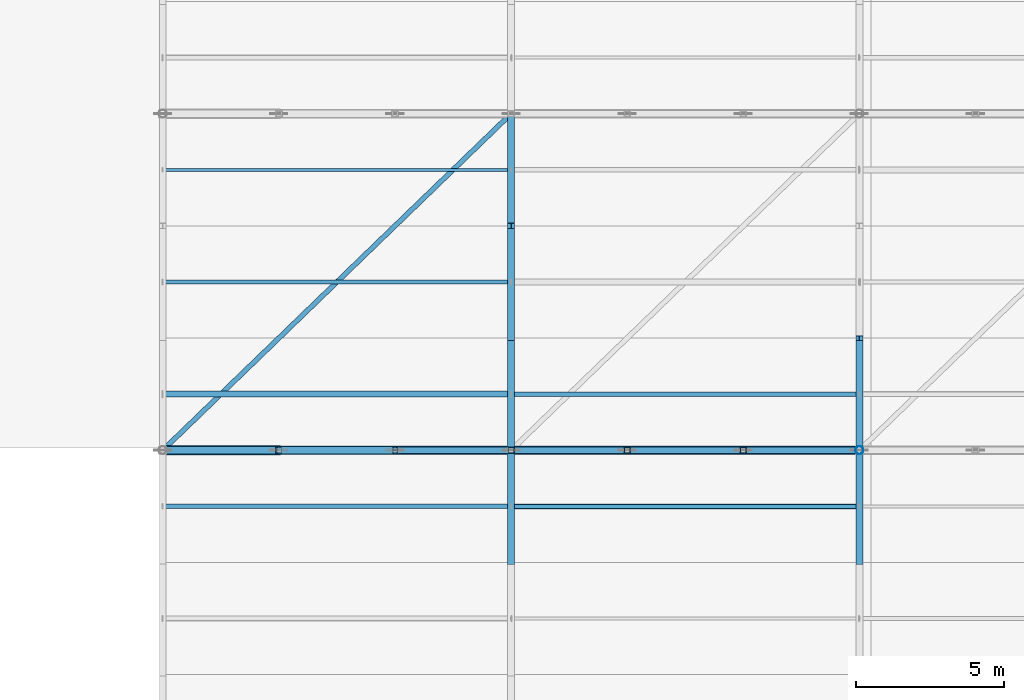
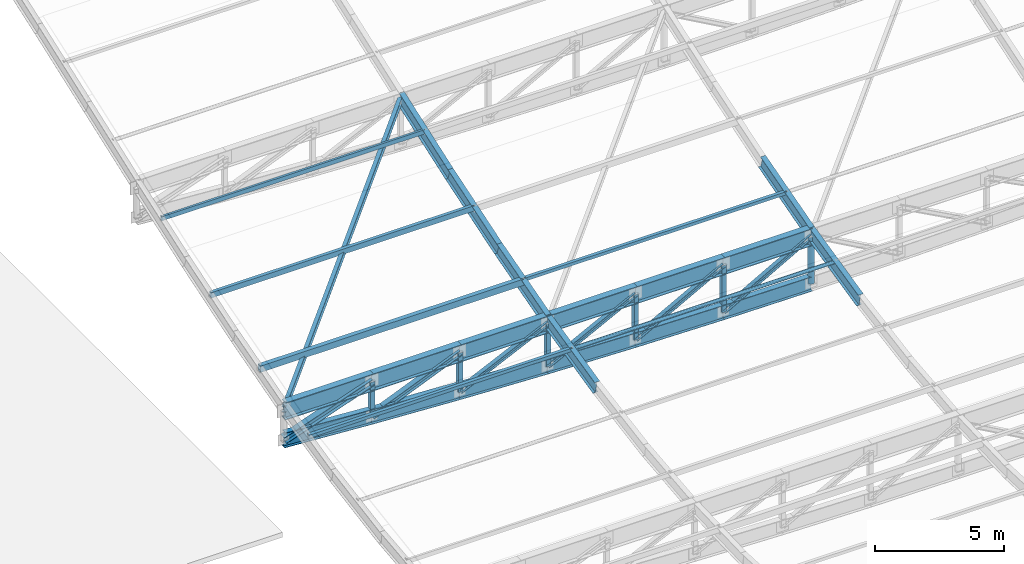
# One storey, part 19 of 65: 25 members, 12 beams.
"""IFC4 building model written with IfcOpenShell, lengths in metres."""

from ifc_helpers import new_model, si_unit, direction, frame, origin, origin_2d, place, context, subcontext, project, spatial, hollow_rectangle, hollow_circle, i_section, extrude, material, material_profile, profile_set, type_object, element, save


model = new_model("IFC4")

# Units and contexts
model_context = context("Model", 3, precision=1e-05, world=origin(), true_north=direction((0.0, 1.0)))
body_context = subcontext(model_context, "Body", "Model", "MODEL_VIEW")
ifc_project = project(units=[si_unit("LENGTHUNIT", "METRE"), si_unit("AREAUNIT", "SQUARE_METRE"), si_unit("VOLUMEUNIT", "CUBIC_METRE"), si_unit("PLANEANGLEUNIT", "RADIAN"), si_unit("MASSUNIT", "GRAM", prefix="KILO"), si_unit("POWERUNIT", "WATT"), si_unit("THERMODYNAMICTEMPERATUREUNIT", "KELVIN")], contexts=[model_context])

# Site, building, storey
site_placement = place(None, origin())
site = spatial("IfcSite", under=ifc_project, at=site_placement, CompositionType="ELEMENT")
building_placement = place(site_placement, origin())
building = spatial("IfcBuilding", under=site, at=building_placement, Name="Kelmbourne Parkland Aquatics Centre", CompositionType="ELEMENT")
storey_placement = place(building_placement, frame((0.0, 0.0, 27.0)))
storey = spatial("IfcBuildingStorey", under=building, at=storey_placement, Name="RF", CompositionType="ELEMENT", Elevation=27.0)

# Members
ifc_material_1 = material(Name="Structural steel AS/NZS 3679.1 Grade 300", Category="steel")
ifc_material_profile_1 = material_profile(ifc_material_1, i_section(OverallWidth=0.166015625, OverallDepth=0.306884765625, WebThickness=0.006591796875, FlangeThickness=0.01171875, at=origin_2d()), Name="310UB46.2")
ifc_profile_set_1 = profile_set([ifc_material_profile_1], Name="Structural steel AS/NZS 3679.1 Grade 300")
member_type_1 = type_object("IfcMemberType", Name="MB-BR-I", PredefinedType="BRACE", material=ifc_profile_set_1)
member_1_placement = place(storey_placement, frame((128.007080078125, 69.206787109375, -10.938232421875), z_axis=(0.702160587581, 0.678364943432, 0.216313459524), x_axis=(-0.694815416631, 0.719188109476, 0.0)))
element("IfcMember", 1, at=member_1_placement, inside=storey, type_object=member_type_1, Name="Roof wind diagonal brace B7-03", PredefinedType="BRACE", context=body_context, shape_type="SweptSolid", body=[
    extrude(i_section(OverallWidth=0.166015625, OverallDepth=0.306884765625, WebThickness=0.006591796875, FlangeThickness=0.01171875, at=origin_2d()), origin(), (0.0, 0.0, 1.0), 16.78515625),
])
ifc_material_profile_2 = material_profile(ifc_material_1, i_section(OverallWidth=0.306884765625, OverallDepth=0.31494140625, WebThickness=0.011962890625, FlangeThickness=0.018798828125, at=origin_2d()), Name="310UC118")
ifc_profile_set_2 = profile_set([ifc_material_profile_2], Name="Structural steel AS/NZS 3679.1 Grade 300")
member_type_2 = type_object("IfcMemberType", Name="MB-DIAG1", PredefinedType="STRUT", material=ifc_profile_set_2)
member_2_placement = place(storey_placement, frame((128.0, 69.199951171875, -12.320556640625), z_axis=(0.94359966112, 0.0, 0.331088627913), x_axis=(0.0, 1.0, 0.0)))
element("IfcMember", 2, at=member_2_placement, inside=storey, type_object=member_type_2, Name="Roof truss R06 web diagonal 1", PredefinedType="STRUT", context=body_context, shape_type="SweptSolid", body=[
    extrude(i_section(OverallWidth=0.306884765625, OverallDepth=0.31494140625, WebThickness=0.011962890625, FlangeThickness=0.018798828125, at=origin_2d()), origin(), (0.0, 0.0, 1.0), 4.16845703125),
])
ifc_material_profile_3 = material_profile(ifc_material_1, i_section(OverallWidth=0.256103515625, OverallDepth=0.260009765625, WebThickness=0.010498046875, FlangeThickness=0.017333984375, at=origin_2d()), Name="250UC89.5")
ifc_profile_set_3 = profile_set([ifc_material_profile_3], Name="Structural steel AS/NZS 3679.1 Grade 300")
member_type_3 = type_object("IfcMemberType", Name="MB-DIAG2", PredefinedType="STRUT", material=ifc_profile_set_3)
member_3_placement = place(storey_placement, frame((131.933349609375, 69.199951171875, -12.580078125), z_axis=(0.923014195881, 0.0, 0.384765895322), x_axis=(0.0, 1.0, 0.0)))
element("IfcMember", 3, at=member_3_placement, inside=storey, type_object=member_type_3, Name="Roof truss R06 web diagonal 2", PredefinedType="STRUT", context=body_context, shape_type="SweptSolid", body=[
    extrude(i_section(OverallWidth=0.256103515625, OverallDepth=0.260009765625, WebThickness=0.010498046875, FlangeThickness=0.017333984375, at=origin_2d()), origin(), (0.0, 0.0, 1.0), 4.261474609375),
])
ifc_material_profile_4 = material_profile(ifc_material_1, i_section(OverallWidth=0.205078125, OverallDepth=0.2099609375, WebThickness=0.00927734375, FlangeThickness=0.01416015625, at=origin_2d()), Name="200UC59.5")
ifc_profile_set_4 = profile_set([ifc_material_profile_4], Name="Structural steel AS/NZS 3679.1 Grade 300")
member_type_4 = type_object("IfcMemberType", Name="MB-DIAG3", PredefinedType="STRUT", material=ifc_profile_set_4)
member_4_placement = place(storey_placement, frame((135.86669921875, 69.199951171875, -12.792724609375), z_axis=(0.904702860314, 0.0, 0.426043113475), x_axis=(0.0, 1.0, 0.0)))
element("IfcMember", 4, at=member_4_placement, inside=storey, type_object=member_type_4, Name="Roof truss R06 web diagonal 3", PredefinedType="STRUT", context=body_context, shape_type="SweptSolid", body=[
    extrude(i_section(OverallWidth=0.205078125, OverallDepth=0.2099609375, WebThickness=0.00927734375, FlangeThickness=0.01416015625, at=origin_2d()), origin(), (0.0, 0.0, 1.0), 4.34765625),
])
member_5_placement = place(storey_placement, frame((139.800048828125, 69.199951171875, -12.9580078125), z_axis=(0.889773759549, 0.0, 0.456401858911), x_axis=(0.0, 1.0, 0.0)))
element("IfcMember", 5, at=member_5_placement, inside=storey, type_object=member_type_4, Name="Roof truss R06 web diagonal 4", PredefinedType="STRUT", context=body_context, shape_type="SweptSolid", body=[
    extrude(i_section(OverallWidth=0.205078125, OverallDepth=0.2099609375, WebThickness=0.00927734375, FlangeThickness=0.01416015625, at=origin_2d()), origin(), (0.0, 0.0, 1.0), 4.420654296875),
])
member_6_placement = place(storey_placement, frame((143.7333984375, 69.199951171875, -13.076171875), z_axis=(0.87880703159, 0.0, 0.477177326817), x_axis=(0.0, 1.0, 0.0)))
element("IfcMember", 6, at=member_6_placement, inside=storey, type_object=member_type_4, Name="Roof truss R06 web diagonal 5", PredefinedType="STRUT", context=body_context, shape_type="SweptSolid", body=[
    extrude(i_section(OverallWidth=0.205078125, OverallDepth=0.2099609375, WebThickness=0.00927734375, FlangeThickness=0.01416015625, at=origin_2d()), origin(), (0.0, 0.0, 1.0), 4.475830078125),
])
member_7_placement = place(storey_placement, frame((147.666748046875, 69.199951171875, -13.14697265625), z_axis=(0.872140224212, 0.0, 0.489255995682), x_axis=(0.0, 1.0, 0.0)))
element("IfcMember", 7, at=member_7_placement, inside=storey, type_object=member_type_4, Name="Roof truss R06 web diagonal 6", PredefinedType="STRUT", context=body_context, shape_type="SweptSolid", body=[
    extrude(i_section(OverallWidth=0.205078125, OverallDepth=0.2099609375, WebThickness=0.00927734375, FlangeThickness=0.01416015625, at=origin_2d()), origin(), (0.0, 0.0, 1.0), 4.510009765625),
])
ifc_material_profile_5 = material_profile(ifc_material_1, i_section(OverallWidth=0.22900390625, OverallDepth=0.612060546875, WebThickness=0.011962890625, FlangeThickness=0.01953125, at=origin_2d()), Name="610UB125")
ifc_profile_set_5 = profile_set([ifc_material_profile_5], Name="Structural steel AS/NZS 3679.1 Grade 300")
member_type_5 = type_object("IfcMemberType", Name="MB-LRIB", PredefinedType="STRUT", material=ifc_profile_set_5)
member_8_placement = place(storey_placement, frame((139.800048828125, 65.39990234375, -11.703369140625), z_axis=(0.0, 0.974060017695, 0.226289818438), x_axis=(-1.0, 0.0, 0.0)))
element("IfcMember", 8, at=member_8_placement, inside=storey, type_object=member_type_5, Name="Longitudinal wave rib K3 strip 18", PredefinedType="STRUT", context=body_context, shape_type="SweptSolid", body=[
    extrude(i_section(OverallWidth=0.22900390625, OverallDepth=0.612060546875, WebThickness=0.011962890625, FlangeThickness=0.01953125, at=origin_2d()), origin(), (0.0, 0.0, 1.0), 3.9013671875),
])
member_9_placement = place(storey_placement, frame((139.800048828125, 69.199951171875, -10.820556640625), z_axis=(0.0, 0.962160495799, 0.272483357885), x_axis=(-1.0, 0.0, 0.0)))
element("IfcMember", 9, at=member_9_placement, inside=storey, type_object=member_type_5, Name="Longitudinal wave rib K3 strip 19", PredefinedType="STRUT", context=body_context, shape_type="SweptSolid", body=[
    extrude(i_section(OverallWidth=0.22900390625, OverallDepth=0.612060546875, WebThickness=0.011962890625, FlangeThickness=0.01953125, at=origin_2d()), origin(), (0.0, 0.0, 1.0), 3.949462890625),
])
member_10_placement = place(storey_placement, frame((139.800048828125, 73.0, -9.744384765625), z_axis=(0.0, 0.951600805512, 0.307336797257), x_axis=(-1.0, 0.0, 0.0)))
element("IfcMember", 10, at=member_10_placement, inside=storey, type_object=member_type_5, Name="Longitudinal wave rib K3 strip 20", PredefinedType="STRUT", context=body_context, shape_type="SweptSolid", body=[
    extrude(i_section(OverallWidth=0.22900390625, OverallDepth=0.612060546875, WebThickness=0.011962890625, FlangeThickness=0.01953125, at=origin_2d()), origin(), (0.0, 0.0, 1.0), 3.993408203125),
])
member_11_placement = place(storey_placement, frame((139.800048828125, 76.800048828125, -8.51708984375), z_axis=(0.0, 0.943702288196, 0.330795996428), x_axis=(-1.0, 0.0, 0.0)))
element("IfcMember", 11, at=member_11_placement, inside=storey, type_object=member_type_5, Name="Longitudinal wave rib K3 strip 21", PredefinedType="STRUT", context=body_context, shape_type="SweptSolid", body=[
    extrude(i_section(OverallWidth=0.22900390625, OverallDepth=0.612060546875, WebThickness=0.011962890625, FlangeThickness=0.01953125, at=origin_2d()), origin(), (0.0, 0.0, 1.0), 4.02685546875),
])
member_12_placement = place(storey_placement, frame((151.60009765625, 65.39990234375, -11.703369140625), z_axis=(0.0, 0.974060017695, 0.226289818438), x_axis=(-1.0, 0.0, 0.0)))
element("IfcMember", 12, at=member_12_placement, inside=storey, type_object=member_type_5, Name="Longitudinal wave rib K6 strip 18", PredefinedType="STRUT", context=body_context, shape_type="SweptSolid", body=[
    extrude(i_section(OverallWidth=0.22900390625, OverallDepth=0.612060546875, WebThickness=0.011962890625, FlangeThickness=0.01953125, at=origin_2d()), origin(), (0.0, 0.0, 1.0), 3.9013671875),
])
member_13_placement = place(storey_placement, frame((151.60009765625, 69.199951171875, -10.820556640625), z_axis=(0.0, 0.962160495799, 0.272483357885), x_axis=(-1.0, 0.0, 0.0)))
element("IfcMember", 13, at=member_13_placement, inside=storey, type_object=member_type_5, Name="Longitudinal wave rib K6 strip 19", PredefinedType="STRUT", context=body_context, shape_type="SweptSolid", body=[
    extrude(i_section(OverallWidth=0.22900390625, OverallDepth=0.612060546875, WebThickness=0.011962890625, FlangeThickness=0.01953125, at=origin_2d()), origin(), (0.0, 0.0, 1.0), 3.949462890625),
])
ifc_material_2 = material(Name="Cold-formed hollow steel AS/NZS 1163 C350L0", Category="steel")
ifc_material_profile_6 = material_profile(ifc_material_2, hollow_rectangle(XDim=0.199951171875, YDim=0.199951171875, WallThickness=0.010009765625, at=origin_2d()), Name="SHS 200x200x10.0")
ifc_profile_set_6 = profile_set([ifc_material_profile_6], Name="Cold-formed hollow steel AS/NZS 1163 C350L0")
member_type_6 = type_object("IfcMemberType", Name="MB-POST1", PredefinedType="STRUT", material=ifc_profile_set_6)
member_14_placement = place(storey_placement, frame((131.933349609375, 69.199951171875, -12.580078125), z_axis=(0.0, 0.0, 1.0), x_axis=(1.0, 0.0, 0.0)))
element("IfcMember", 14, at=member_14_placement, inside=storey, type_object=member_type_6, Name="Roof truss R06 vertical post 1", PredefinedType="STRUT", context=body_context, shape_type="SweptSolid", body=[
    extrude(hollow_rectangle(XDim=0.199951171875, YDim=0.199951171875, WallThickness=0.010009765625, at=origin_2d()), origin(), (0.0, 0.0, 1.0), 1.6396484375),
])
member_15_placement = place(storey_placement, frame((135.86669921875, 69.199951171875, -12.792724609375), z_axis=(0.0, 0.0, 1.0), x_axis=(1.0, 0.0, 0.0)))
element("IfcMember", 15, at=member_15_placement, inside=storey, type_object=member_type_6, Name="Roof truss R06 vertical post 2", PredefinedType="STRUT", context=body_context, shape_type="SweptSolid", body=[
    extrude(hollow_rectangle(XDim=0.199951171875, YDim=0.199951171875, WallThickness=0.010009765625, at=origin_2d()), origin(), (0.0, 0.0, 1.0), 1.852294921875),
])
member_16_placement = place(storey_placement, frame((139.800048828125, 69.199951171875, -12.9580078125), z_axis=(0.0, 0.0, 1.0), x_axis=(1.0, 0.0, 0.0)))
element("IfcMember", 16, at=member_16_placement, inside=storey, type_object=member_type_6, Name="Roof truss R06 vertical post 3", PredefinedType="STRUT", context=body_context, shape_type="SweptSolid", body=[
    extrude(hollow_rectangle(XDim=0.199951171875, YDim=0.199951171875, WallThickness=0.010009765625, at=origin_2d()), origin(), (0.0, 0.0, 1.0), 2.017578125),
])
member_17_placement = place(storey_placement, frame((143.7333984375, 69.199951171875, -13.076171875), z_axis=(0.0, 0.0, 1.0), x_axis=(1.0, 0.0, 0.0)))
element("IfcMember", 17, at=member_17_placement, inside=storey, type_object=member_type_6, Name="Roof truss R06 vertical post 4", PredefinedType="STRUT", context=body_context, shape_type="SweptSolid", body=[
    extrude(hollow_rectangle(XDim=0.199951171875, YDim=0.199951171875, WallThickness=0.010009765625, at=origin_2d()), origin(), (0.0, 0.0, 1.0), 2.1357421875),
])
member_18_placement = place(storey_placement, frame((147.666748046875, 69.199951171875, -13.14697265625), z_axis=(0.0, 0.0, 1.0), x_axis=(1.0, 0.0, 0.0)))
element("IfcMember", 18, at=member_18_placement, inside=storey, type_object=member_type_6, Name="Roof truss R06 vertical post 5", PredefinedType="STRUT", context=body_context, shape_type="SweptSolid", body=[
    extrude(hollow_rectangle(XDim=0.199951171875, YDim=0.199951171875, WallThickness=0.010009765625, at=origin_2d()), origin(), (0.0, 0.0, 1.0), 2.20654296875),
])
ifc_material_profile_7 = material_profile(ifc_material_2, hollow_circle(Radius=0.136474609375, WallThickness=0.00927734375, at=origin_2d()), Name="CHS 273.1x9.3")
ifc_profile_set_7 = profile_set([ifc_material_profile_7], Name="Cold-formed hollow steel AS/NZS 1163 C350L0")
member_type_7 = type_object("IfcMemberType", Name="MB-POST2", PredefinedType="STRUT", material=ifc_profile_set_7)
member_19_placement = place(storey_placement, frame((151.60009765625, 69.199951171875, -13.17041015625), z_axis=(0.0, 0.0, 1.0), x_axis=(1.0, 0.0, 0.0)))
element("IfcMember", 19, at=member_19_placement, inside=storey, type_object=member_type_7, Name="Roof truss R06 vertical post 6", PredefinedType="STRUT", context=body_context, shape_type="SweptSolid", body=[
    extrude(hollow_circle(Radius=0.136474609375, WallThickness=0.00927734375, at=origin_2d()), origin(), (0.0, 0.0, 1.0), 2.22998046875),
])
ifc_material_profile_8 = material_profile(ifc_material_2, hollow_rectangle(XDim=0.10009765625, YDim=0.199951171875, WallThickness=0.006103515625, at=origin_2d()), Name="RHS 200x100x6.0")
ifc_profile_set_8 = profile_set([ifc_material_profile_8], Name="Cold-formed hollow steel AS/NZS 1163 C350L0")
member_type_8 = type_object("IfcMemberType", Name="MB-PUR1", PredefinedType="PURLIN", material=ifc_profile_set_8)
member_20_placement = place(storey_placement, frame((128.0, 78.699951171875, -7.64111328125), z_axis=(1.0, 0.0, 0.0), x_axis=(0.0, 1.0, 0.0)))
element("IfcMember", 20, at=member_20_placement, inside=storey, type_object=member_type_8, Name="Wave roof purlin S21-G1", PredefinedType="PURLIN", context=body_context, shape_type="SweptSolid", body=[
    extrude(hollow_rectangle(XDim=0.10009765625, YDim=0.199951171875, WallThickness=0.006103515625, at=origin_2d()), origin(), (0.0, 0.0, 1.0), 11.800048828125),
])
ifc_material_profile_9 = material_profile(ifc_material_2, hollow_rectangle(XDim=0.14990234375, YDim=0.25, WallThickness=0.009033203125, at=origin_2d()), Name="RHS 250x150x9.0")
ifc_profile_set_9 = profile_set([ifc_material_profile_9], Name="Cold-formed hollow steel AS/NZS 1163 C350L0")
member_type_9 = type_object("IfcMemberType", Name="MB-PUR2", PredefinedType="PURLIN", material=ifc_profile_set_9)
member_21_placement = place(storey_placement, frame((128.0, 74.89990234375, -8.94580078125), z_axis=(1.0, 0.0, 0.0), x_axis=(0.0, 1.0, 0.0)))
element("IfcMember", 21, at=member_21_placement, inside=storey, type_object=member_type_9, Name="Wave roof purlin S20-G1", PredefinedType="PURLIN", context=body_context, shape_type="SweptSolid", body=[
    extrude(hollow_rectangle(XDim=0.14990234375, YDim=0.25, WallThickness=0.009033203125, at=origin_2d()), origin(), (0.0, 0.0, 1.0), 11.800048828125),
])
ifc_material_profile_10 = material_profile(ifc_material_2, hollow_rectangle(XDim=0.199951171875, YDim=0.300048828125, WallThickness=0.010009765625, at=origin_2d()), Name="RHS 300x200x10.0")
ifc_profile_set_10 = profile_set([ifc_material_profile_10], Name="Cold-formed hollow steel AS/NZS 1163 C350L0")
member_type_10 = type_object("IfcMemberType", Name="MB-PUR3", PredefinedType="PURLIN", material=ifc_profile_set_10)
member_22_placement = place(storey_placement, frame((128.0, 71.10009765625, -10.12255859375), z_axis=(1.0, 0.0, 0.0), x_axis=(0.0, 1.0, 0.0)))
element("IfcMember", 22, at=member_22_placement, inside=storey, type_object=member_type_10, Name="Wave roof purlin S19-G1", PredefinedType="PURLIN", context=body_context, shape_type="SweptSolid", body=[
    extrude(hollow_rectangle(XDim=0.199951171875, YDim=0.300048828125, WallThickness=0.010009765625, at=origin_2d()), origin(), (0.0, 0.0, 1.0), 11.800048828125),
])
ifc_material_profile_11 = material_profile(ifc_material_2, hollow_rectangle(XDim=0.14990234375, YDim=0.14990234375, WallThickness=0.009033203125, at=origin_2d()), Name="SHS 150x150x9.0")
ifc_profile_set_11 = profile_set([ifc_material_profile_11], Name="Cold-formed hollow steel AS/NZS 1163 C350L0")
member_type_11 = type_object("IfcMemberType", Name="MB-PUR4", PredefinedType="PURLIN", material=ifc_profile_set_11)
for number, where, z_axis, x_axis, name in (
    (23, (128.0, 67.300048828125, -11.02685546875), (1.0, 0.0, 0.0), (0.0, 1.0, 0.0), "Wave roof purlin S18-G1"),
    (24, (139.800048828125, 71.10009765625, -10.047607421875), (1.0, 0.0, 0.0), (0.0, 1.0, 0.0), "Wave roof purlin S19-G2"),
):
    element("IfcMember", number, at=place(storey_placement, frame(where, z_axis=z_axis, x_axis=x_axis)), inside=storey, type_object=member_type_11, Name=name, PredefinedType="PURLIN", context=body_context, shape_type="SweptSolid", body=[
        extrude(hollow_rectangle(XDim=0.14990234375, YDim=0.14990234375, WallThickness=0.009033203125, at=origin_2d()), origin(), (0.0, 0.0, 1.0), 11.800048828125),
    ])
ifc_material_profile_12 = material_profile(ifc_material_2, hollow_circle(Radius=0.084228515625, WallThickness=0.007080078125, at=origin_2d()), Name="CHS 168.3x7.1")
ifc_profile_set_12 = profile_set([ifc_material_profile_12], Name="Cold-formed hollow steel AS/NZS 1163 C350L0")
member_type_12 = type_object("IfcMemberType", Name="MB-PUR5", PredefinedType="PURLIN", material=ifc_profile_set_12)
member_23_placement = place(storey_placement, frame((139.800048828125, 67.300048828125, -11.0361328125), z_axis=(1.0, 0.0, 0.0), x_axis=(0.0, 1.0, 0.0)))
element("IfcMember", 25, at=member_23_placement, inside=storey, type_object=member_type_12, Name="Wave roof purlin S18-G2", PredefinedType="PURLIN", context=body_context, shape_type="SweptSolid", body=[
    extrude(hollow_circle(Radius=0.084228515625, WallThickness=0.007080078125, at=origin_2d()), origin(), (0.0, 0.0, 1.0), 11.800048828125),
])

# Beams
ifc_material_3 = material(Name="Welded plate steel AS/NZS 3678 Grade 350", Category="steel")
ifc_material_profile_13 = material_profile(ifc_material_3, i_section(OverallWidth=0.25, OverallDepth=0.699951171875, WebThickness=0.010009765625, FlangeThickness=0.02001953125, at=origin_2d()), Name="700WB130")
ifc_profile_set_13 = profile_set([ifc_material_profile_13], Name="Welded plate steel AS/NZS 3678 Grade 350")
beam_type_1 = type_object("IfcBeamType", Name="TR-BC2", PredefinedType="BEAM", material=ifc_profile_set_13)
beam_1_placement = place(storey_placement, frame((128.0, 69.199951171875, -12.320556640625), z_axis=(0.9978304164, 0.0, -0.065836616761), x_axis=(0.0, 1.0, 0.0)))
element("IfcBeam", 26, at=beam_1_placement, inside=storey, type_object=beam_type_1, Name="Roof truss R06 bottom chord 1", PredefinedType="BEAM", context=body_context, shape_type="SweptSolid", body=[
    extrude(i_section(OverallWidth=0.25, OverallDepth=0.699951171875, WebThickness=0.010009765625, FlangeThickness=0.02001953125, at=origin_2d()), origin(), (0.0, 0.0, 1.0), 3.94189453125),
])
beam_2_placement = place(storey_placement, frame((131.933349609375, 69.199951171875, -12.580078125), z_axis=(0.99854182183, 0.0, -0.053983609138), x_axis=(0.0, 1.0, 0.0)))
element("IfcBeam", 27, at=beam_2_placement, inside=storey, type_object=beam_type_1, Name="Roof truss R06 bottom chord 2", PredefinedType="BEAM", context=body_context, shape_type="SweptSolid", body=[
    extrude(i_section(OverallWidth=0.25, OverallDepth=0.699951171875, WebThickness=0.010009765625, FlangeThickness=0.02001953125, at=origin_2d()), origin(), (0.0, 0.0, 1.0), 3.939208984375),
])
beam_3_placement = place(storey_placement, frame((135.86669921875, 69.199951171875, -12.792724609375), z_axis=(0.999118286144, 0.0, -0.041983928975), x_axis=(0.0, 1.0, 0.0)))
element("IfcBeam", 28, at=beam_3_placement, inside=storey, type_object=beam_type_1, Name="Roof truss R06 bottom chord 3", PredefinedType="BEAM", context=body_context, shape_type="SweptSolid", body=[
    extrude(i_section(OverallWidth=0.25, OverallDepth=0.699951171875, WebThickness=0.010009765625, FlangeThickness=0.02001953125, at=origin_2d()), origin(), (0.0, 0.0, 1.0), 3.936767578125),
])
beam_4_placement = place(storey_placement, frame((139.800048828125, 69.199951171875, -12.9580078125), z_axis=(0.999549056749, 0.0, -0.030028039443), x_axis=(0.0, 1.0, 0.0)))
element("IfcBeam", 29, at=beam_4_placement, inside=storey, type_object=beam_type_1, Name="Roof truss R06 bottom chord 4", PredefinedType="BEAM", context=body_context, shape_type="SweptSolid", body=[
    extrude(i_section(OverallWidth=0.25, OverallDepth=0.699951171875, WebThickness=0.010009765625, FlangeThickness=0.02001953125, at=origin_2d()), origin(), (0.0, 0.0, 1.0), 3.93505859375),
])
beam_5_placement = place(storey_placement, frame((143.7333984375, 69.199951171875, -13.076171875), z_axis=(0.999838037122, 0.0, -0.017997208787), x_axis=(0.0, 1.0, 0.0)))
element("IfcBeam", 30, at=beam_5_placement, inside=storey, type_object=beam_type_1, Name="Roof truss R06 bottom chord 5", PredefinedType="BEAM", context=body_context, shape_type="SweptSolid", body=[
    extrude(i_section(OverallWidth=0.25, OverallDepth=0.699951171875, WebThickness=0.010009765625, FlangeThickness=0.02001953125, at=origin_2d()), origin(), (0.0, 0.0, 1.0), 3.93408203125),
])
beam_6_placement = place(storey_placement, frame((147.666748046875, 69.199951171875, -13.14697265625), z_axis=(0.999982247648, 0.0, -0.005958556004), x_axis=(0.0, 1.0, 0.0)))
element("IfcBeam", 31, at=beam_6_placement, inside=storey, type_object=beam_type_1, Name="Roof truss R06 bottom chord 6", PredefinedType="BEAM", context=body_context, shape_type="SweptSolid", body=[
    extrude(i_section(OverallWidth=0.25, OverallDepth=0.699951171875, WebThickness=0.010009765625, FlangeThickness=0.02001953125, at=origin_2d()), origin(), (0.0, 0.0, 1.0), 3.933349609375),
])
ifc_material_profile_14 = material_profile(ifc_material_3, i_section(OverallWidth=0.300048828125, OverallDepth=0.81591796875, WebThickness=0.011962890625, FlangeThickness=0.028076171875, at=origin_2d()), Name="800WB192")
ifc_profile_set_14 = profile_set([ifc_material_profile_14], Name="Welded plate steel AS/NZS 3678 Grade 350")
beam_type_2 = type_object("IfcBeamType", Name="TR-TC2", PredefinedType="BEAM", material=ifc_profile_set_14)
for number, where, z_axis, x_axis, name in (
    (32, (128.0, 69.199951171875, -10.9404296875), (1.0, 0.0, 0.0), (0.0, 1.0, 0.0), "Roof truss R06 top chord 1"),
    (33, (131.933349609375, 69.199951171875, -10.9404296875), (1.0, 0.0, 0.0), (0.0, 1.0, 0.0), "Roof truss R06 top chord 2"),
    (34, (135.86669921875, 69.199951171875, -10.9404296875), (1.0, 0.0, 0.0), (0.0, 1.0, 0.0), "Roof truss R06 top chord 3"),
    (35, (139.800048828125, 69.199951171875, -10.9404296875), (1.0, 0.0, 0.0), (0.0, 1.0, 0.0), "Roof truss R06 top chord 4"),
    (36, (143.7333984375, 69.199951171875, -10.9404296875), (1.0, 0.0, 0.0), (0.0, 1.0, 0.0), "Roof truss R06 top chord 5"),
    (37, (147.666748046875, 69.199951171875, -10.9404296875), (1.0, 0.0, 0.0), (0.0, 1.0, 0.0), "Roof truss R06 top chord 6"),
):
    element("IfcBeam", number, at=place(storey_placement, frame(where, z_axis=z_axis, x_axis=x_axis)), inside=storey, type_object=beam_type_2, Name=name, PredefinedType="BEAM", context=body_context, shape_type="SweptSolid", body=[
        extrude(i_section(OverallWidth=0.300048828125, OverallDepth=0.81591796875, WebThickness=0.011962890625, FlangeThickness=0.028076171875, at=origin_2d()), origin(), (0.0, 0.0, 1.0), 3.933349609375),
    ])

save(model, "model.ifc")
